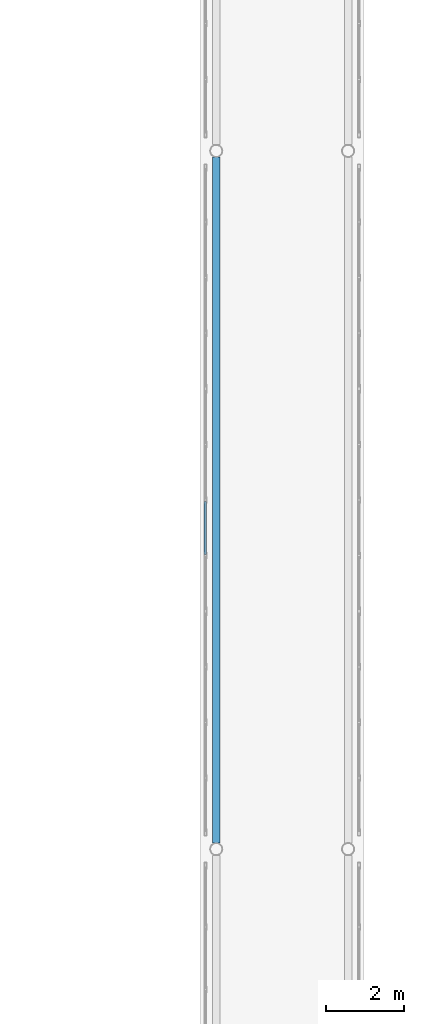
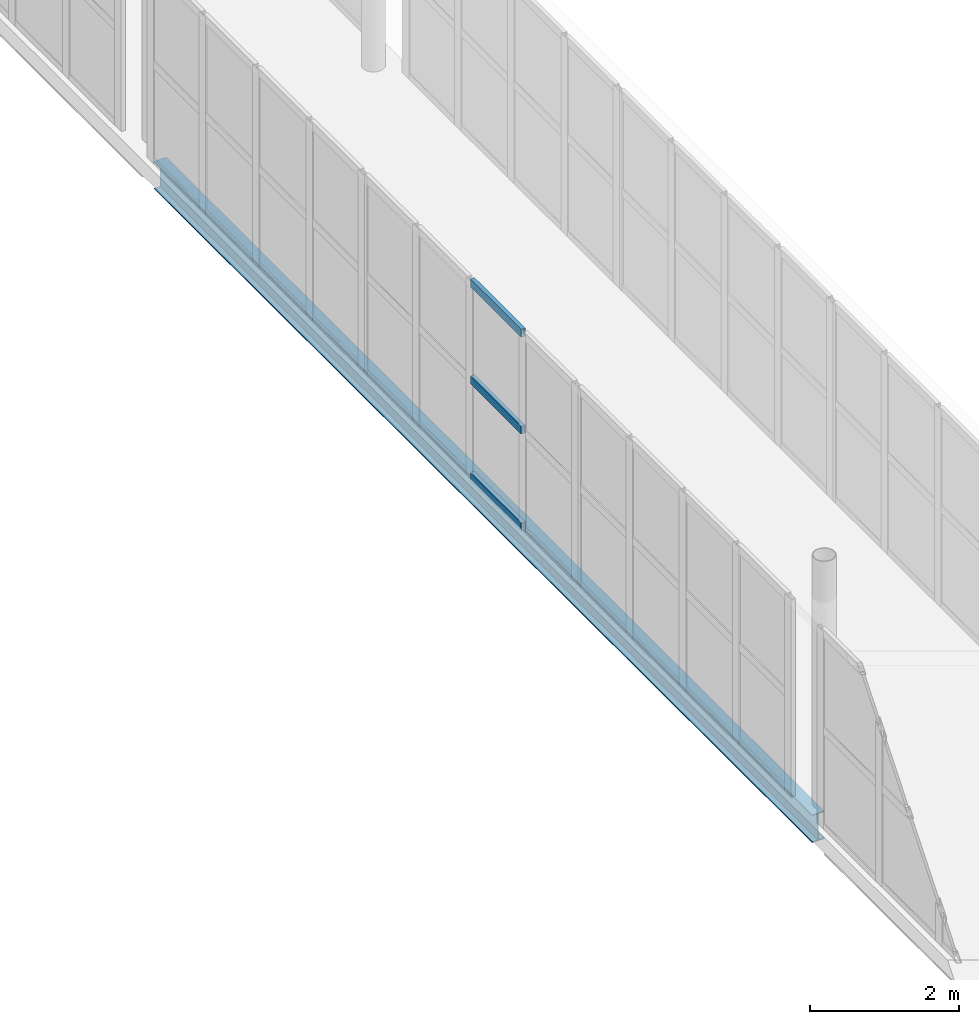
# One storey, part 45 of 146: 3 members, 1 beam, 1 element without a shape of its own.
"""IFC4 building model written with IfcOpenShell, lengths in metres."""

from ifc_helpers import new_model, si_unit, direction, frame, origin, origin_2d, place, context, subcontext, project, spatial, hollow_rectangle, i_section, extrude, material, layer, layer_set, material_profile, profile_set, type_object, element, aggregate, save


model = new_model("IFC4")

# Units and contexts
model_context = context("Model", 3, precision=1e-05, world=origin(), true_north=direction((0.0, 1.0)))
body_context = subcontext(model_context, "Body", "Model", "MODEL_VIEW")
ifc_project = project(units=[si_unit("LENGTHUNIT", "METRE"), si_unit("AREAUNIT", "SQUARE_METRE"), si_unit("VOLUMEUNIT", "CUBIC_METRE"), si_unit("PLANEANGLEUNIT", "RADIAN"), si_unit("MASSUNIT", "GRAM", prefix="KILO")], contexts=[model_context])

# Site, building, storey
site_placement = place(None, origin())
site = spatial("IfcSite", under=ifc_project, at=site_placement, CompositionType="ELEMENT")
building_placement = place(site_placement, origin())
building = spatial("IfcBuilding", under=site, at=building_placement, Name="Valcora Specialist Clinic", CompositionType="ELEMENT")
storey_placement = place(building_placement, frame((0.0, 0.0, 9.52001953125)))
storey = spatial("IfcBuildingStorey", under=building, at=storey_placement, Name="L02", CompositionType="ELEMENT", Elevation=9.52001953125)

# Beam
ifc_material_1 = material(Name="Steel ASTM A992 Grade 50", Category="steel")
ifc_material_profile_1 = material_profile(ifc_material_1, i_section(OverallWidth=0.18994140625, OverallDepth=0.45703125, WebThickness=0.009033203125, FlangeThickness=0.014892578125, at=origin_2d()), Name="ST-IR-460X190")
ifc_profile_set_1 = profile_set([ifc_material_profile_1], Name="Steel ASTM A992 Grade 50")
beam_type = type_object("IfcBeamType", Name="TY-BG-IR460", PredefinedType="HOLLOWCORE", material=ifc_profile_set_1)
beam_placement = place(storey_placement, frame((61.60009765625, 38.159912109375, -0.482421875), z_axis=(0.0, 1.0, 0.0), x_axis=(-1.0, 0.0, 0.0)))
element("IfcBeam", 1, at=beam_placement, inside=storey, type_object=beam_type, Name="Bridge girder BM-L02-1625", PredefinedType="HOLLOWCORE", context=body_context, shape_type="SweptSolid", body=[
    extrude(i_section(OverallWidth=0.18994140625, OverallDepth=0.45703125, WebThickness=0.009033203125, FlangeThickness=0.014892578125, at=origin_2d()), origin(), (0.0, 0.0, 1.0), 17.68017578125),
])

# Curtain wall, members
ifc_material_2 = material(Name="Anodized Bronze Aluminium 6063-T6", Category="aluminium")
ifc_layer = layer(ifc_material_2, 0.175048828125)
ifc_layer_set = layer_set([ifc_layer], Name="Anodized Bronze Aluminium 6063-T6")
curtain_wall_type = type_object("IfcCurtainWallType", Name="TY-CW-BRG14", PredefinedType="NOTDEFINED", material=ifc_layer_set)
curtain_wall_placement = place(storey_placement, origin())
curtain_wall = element("IfcCurtainWall", 2, at=curtain_wall_placement, inside=storey, type_object=curtain_wall_type, Name="Curtain wall CW-L02-253", PredefinedType="NOTDEFINED")
ifc_material_profile_2 = material_profile(ifc_material_2, hollow_rectangle(XDim=0.06494140625, YDim=0.1298828125, WallThickness=0.00390625, at=origin_2d()), Name="AL-TRN-65X130")
ifc_profile_set_2 = profile_set([ifc_material_profile_2], Name="Anodized Bronze Aluminium 6063-T6")
member_type = type_object("IfcMemberType", Name="TY-CWT-65X130", PredefinedType="USERDEFINED", material=ifc_profile_set_2)
member_1_placement = place(storey_placement, frame((61.320068359375, 45.59912109375, 0.032470703125), z_axis=(0.0, 1.0, 0.0), x_axis=(-1.0, 0.0, 0.0)))
member_1 = element("IfcMember", 3, at=member_1_placement, type_object=member_type, Name="CW-BRG-14 transom 2.1", ObjectType="TRANSOM", PredefinedType="USERDEFINED", context=body_context, shape_type="SweptSolid", body=[
    extrude(hollow_rectangle(XDim=0.06494140625, YDim=0.1298828125, WallThickness=0.00390625, at=origin_2d()), origin(), (0.0, 0.0, 1.0), 1.368408203125),
])
member_2_placement = place(storey_placement, frame((61.320068359375, 45.59912109375, 1.619873046875), z_axis=(0.0, 1.0, 0.0), x_axis=(-1.0, 0.0, 0.0)))
member_2 = element("IfcMember", 4, at=member_2_placement, type_object=member_type, Name="CW-BRG-14 transom 2.2", ObjectType="TRANSOM", PredefinedType="USERDEFINED", context=body_context, shape_type="SweptSolid", body=[
    extrude(hollow_rectangle(XDim=0.06494140625, YDim=0.1298828125, WallThickness=0.00390625, at=origin_2d()), origin(), (0.0, 0.0, 1.0), 1.368408203125),
])
member_3_placement = place(storey_placement, frame((61.320068359375, 45.59912109375, 3.20751953125), z_axis=(0.0, 1.0, 0.0), x_axis=(-1.0, 0.0, 0.0)))
member_3 = element("IfcMember", 5, at=member_3_placement, type_object=member_type, Name="CW-BRG-14 transom 2.3", ObjectType="TRANSOM", PredefinedType="USERDEFINED", context=body_context, shape_type="SweptSolid", body=[
    extrude(hollow_rectangle(XDim=0.06494140625, YDim=0.1298828125, WallThickness=0.00390625, at=origin_2d()), origin(), (0.0, 0.0, 1.0), 1.368408203125),
])
aggregate(curtain_wall, [member_1, member_2, member_3])

save(model, "model.ifc")
